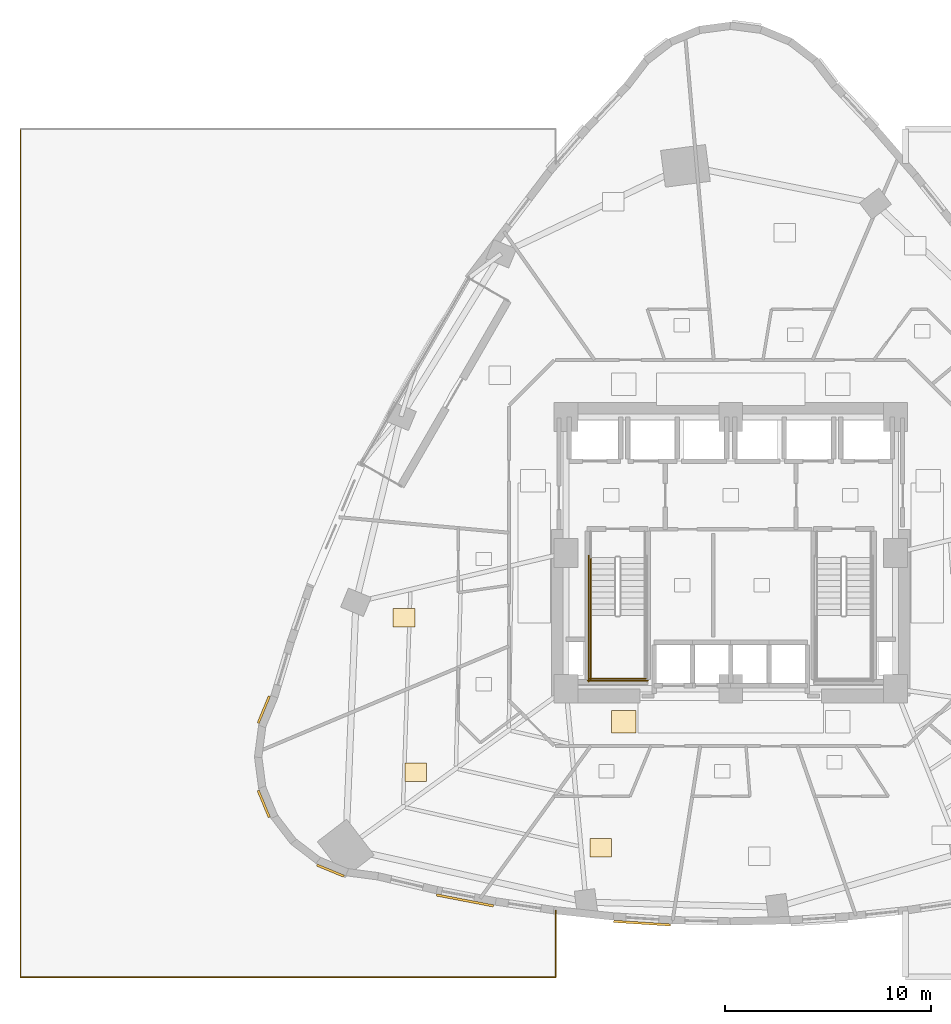
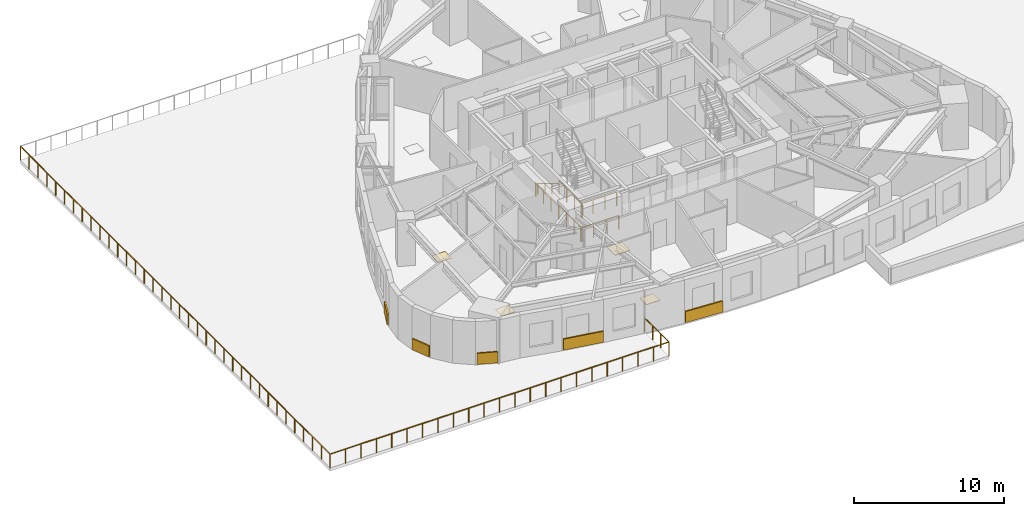
# One storey, part 12 of 15: 9 coverings, 8 railings.
"""IFC4 building model written with IfcOpenShell, lengths in metres."""

from ifc_helpers import new_model, si_unit, direction, frame, origin, origin_2d, place, context, subcontext, project, spatial, rectangle, circle, extrude, material, layer, layer_set, type_object, element, save


model = new_model("IFC4")

# Units and contexts
model_context = context("Model", 3, precision=1e-05, world=origin(), true_north=direction((0.0, 1.0)))
body_context = subcontext(model_context, "Body", "Model", "MODEL_VIEW")
ifc_project = project(units=[si_unit("LENGTHUNIT", "METRE"), si_unit("AREAUNIT", "SQUARE_METRE"), si_unit("VOLUMEUNIT", "CUBIC_METRE"), si_unit("PLANEANGLEUNIT", "RADIAN"), si_unit("MASSUNIT", "GRAM", prefix="KILO")], contexts=[model_context])

# Site, building, storey
site_placement = place(None, origin())
site = spatial("IfcSite", under=ifc_project, at=site_placement, CompositionType="ELEMENT")
building_placement = place(site_placement, origin())
building = spatial("IfcBuilding", under=site, at=building_placement, Name="Ndelora Gate Hotel", CompositionType="ELEMENT")
storey_placement = place(building_placement, frame((0.0, 0.0, 30.5)))
storey = spatial("IfcBuildingStorey", under=building, at=storey_placement, Name="L06", CompositionType="ELEMENT", Elevation=30.5)

# Coverings
ifc_material_1 = material(Name="Terracotta Fired Clay Brick Slip Cladding", Category="masonry")
ifc_layer_1 = layer(ifc_material_1, 0.110107421875)
ifc_layer_set_1 = layer_set([ifc_layer_1], Name="Terracotta Fired Clay Brick Slip Cladding")
covering_type_1 = type_object("IfcCoveringType", Name="COV-CLAD-BRK", PredefinedType="CLADDING", material=ifc_layer_set_1)
for number, where, z_axis, x_axis, name in (
    (1, (-22.6826171875, -7.614013671875, 0.10009765625), (0.0, 0.0, 1.0), (0.382683432365, 0.923879532511, 0.0), "L06 Rounded-Corner Brick Cladding Band 19"),
    (2, (-22.6826171875, -12.19384765625, 0.10009765625), (0.0, 0.0, 1.0), (-0.382683432365, 0.923879532511, 0.0), "L06 Rounded-Corner Brick Cladding Band 22"),
    (3, (-19.444091796875, -15.432373046875, 0.10009765625), (0.0, 0.0, 1.0), (-0.923879532511, 0.382683432365, 0.0), "L06 Rounded-Corner Brick Cladding Band 25"),
):
    element("IfcCovering", number, at=place(storey_placement, frame(where, z_axis=z_axis, x_axis=x_axis)), inside=storey, type_object=covering_type_1, Name=name, PredefinedType="CLADDING", context=body_context, shape_type="SweptSolid", body=[
        extrude(rectangle(XDim=1.4140625, YDim=0.110107421875, at=origin_2d()), origin(), (0.0, 0.0, 1.0), 0.89990234375),
    ])
covering_1_placement = place(storey_placement, frame((-12.90966796875, -16.88037109375, 0.10009765625), z_axis=(0.0, 0.0, 1.0), x_axis=(-0.981991701121, 0.188924055984, 0.0)))
element("IfcCovering", 4, at=covering_1_placement, inside=storey, type_object=covering_type_1, Name="L06 Rounded-Corner Brick Cladding Band 28", PredefinedType="CLADDING", context=body_context, shape_type="SweptSolid", body=[
    extrude(rectangle(XDim=2.81103515625, YDim=0.110107421875, at=origin_2d()), origin(), (0.0, 0.0, 1.0), 0.89990234375),
])
covering_2_placement = place(storey_placement, frame((-4.303466796875, -17.984130859375, 0.10009765625), z_axis=(0.0, 0.0, 1.0), x_axis=(-0.997949270516, 0.064009792035, 0.0)))
element("IfcCovering", 5, at=covering_2_placement, inside=storey, type_object=covering_type_1, Name="L06 Rounded-Corner Brick Cladding Band 31", PredefinedType="CLADDING", context=body_context, shape_type="SweptSolid", body=[
    extrude(rectangle(XDim=2.764892578125, YDim=0.110107421875, at=origin_2d()), origin(), (0.0, 0.0, 1.0), 0.89990234375),
])
ifc_material_2 = material(Name="Engineered Highland Oak Parquet", Category="wood")
ifc_layer_2 = layer(ifc_material_2, 0.030029296875)
ifc_layer_set_2 = layer_set([ifc_layer_2], Name="Engineered Highland Oak Parquet")
covering_type_2 = type_object("IfcCoveringType", Name="COV-FLR-PARQ", PredefinedType="FLOORING", material=ifc_layer_set_2)
for number, where, z_axis, x_axis, name in (
    (6, (-15.8720703125, -3.14208984375, 0.0), (0.0, 0.0, 1.0), (1.0, 0.0, 0.0), "L06 Deluxe King Junior Suite 904 Oak Parquet Flooring"),
    (7, (-15.2939453125, -10.6494140625, 0.0), (0.0, 0.0, 1.0), (1.0, 0.0, 0.0), "L06 Twin Junior Suite 905 Oak Parquet Flooring"),
    (8, (-6.317138671875, -14.314208984375, 0.0), (0.0, 0.0, 1.0), (1.0, 0.0, 0.0), "L06 Superior Double Guest Room 906 Oak Parquet Flooring"),
):
    element("IfcCovering", number, at=place(storey_placement, frame(where, z_axis=z_axis, x_axis=x_axis)), inside=storey, type_object=covering_type_2, Name=name, PredefinedType="FLOORING", context=body_context, shape_type="SweptSolid", body=[
        extrude(rectangle(XDim=1.050048828125, YDim=0.89990234375, at=origin_2d()), origin(), (0.0, 0.0, 1.0), 0.030029296875),
    ])
ifc_material_3 = material(Name="Polished Highland Stone Terrazzo", Category="masonry")
ifc_layer_3 = layer(ifc_material_3, 0.034912109375)
ifc_layer_set_3 = layer_set([ifc_layer_3], Name="Polished Highland Stone Terrazzo")
covering_type_3 = type_object("IfcCoveringType", Name="COV-FLR-TERZ", PredefinedType="FLOORING", material=ifc_layer_set_3)
covering_3_placement = place(storey_placement, frame((-5.199951171875, -8.199951171875, 0.0), z_axis=(0.0, 0.0, 1.0), x_axis=(1.0, 0.0, 0.0)))
element("IfcCovering", 9, at=covering_3_placement, inside=storey, type_object=covering_type_3, Name="L06 Corridor Threshold Terrazzo Inlay SW", PredefinedType="FLOORING", context=body_context, shape_type="SweptSolid", body=[
    extrude(rectangle(XDim=1.199951171875, YDim=1.10009765625, at=origin_2d()), origin(), (0.0, 0.0, 1.0), 0.034912109375),
])

# Railings
ifc_material_4 = material(Name="Laminated Safety Glass and Bronze Top Rail", Category="glass")
ifc_layer_4 = layer(ifc_material_4, 0.070068359375)
ifc_layer_set_4 = layer_set([ifc_layer_4], Name="Laminated Safety Glass and Bronze Top Rail")
railing_type_1 = type_object("IfcRailingType", Name="RL-BAL-1150", PredefinedType="BALUSTRADE", material=ifc_layer_set_4)
railing_1_placement = place(storey_placement, frame((-34.5, 20.60009765625, 0.0)))
element("IfcRailing", 10, at=railing_1_placement, inside=storey, type_object=railing_type_1, Name="L06 West Podium Terrace Safety Balustrade 3", PredefinedType="BALUSTRADE", context=body_context, shape_type="SweptSolid", body=[
    extrude(circle(Radius=0.02392578125, at=origin_2d()), frame((0.0, 0.0, 1.1357421875), z_axis=(0.0, -1.0, 0.0), x_axis=(1.0, 0.0, 0.0)), (0.0, 0.0, 1.0), 41.2001953125),
    extrude(circle(Radius=0.02099609375, at=origin_2d()), origin(), (0.0, 0.0, 1.0), 1.11181640625),
    extrude(circle(Radius=0.02099609375, at=origin_2d()), frame((0.0, -1.17724609375, 0.0)), (0.0, 0.0, 1.0), 1.11181640625),
    extrude(circle(Radius=0.02099609375, at=origin_2d()), frame((0.0, -2.354248046875, 0.0)), (0.0, 0.0, 1.0), 1.11181640625),
    extrude(circle(Radius=0.02099609375, at=origin_2d()), frame((0.0, -3.531494140625, 0.0)), (0.0, 0.0, 1.0), 1.11181640625),
    extrude(circle(Radius=0.02099609375, at=origin_2d()), frame((0.0, -4.70849609375, 0.0)), (0.0, 0.0, 1.0), 1.11181640625),
    extrude(circle(Radius=0.02099609375, at=origin_2d()), frame((0.0, -5.8857421875, 0.0)), (0.0, 0.0, 1.0), 1.11181640625),
    extrude(circle(Radius=0.02099609375, at=origin_2d()), frame((0.0, -7.06298828125, 0.0)), (0.0, 0.0, 1.0), 1.11181640625),
    extrude(circle(Radius=0.02099609375, at=origin_2d()), frame((0.0, -8.239990234375, 0.0)), (0.0, 0.0, 1.0), 1.11181640625),
    extrude(circle(Radius=0.02099609375, at=origin_2d()), frame((0.0, -9.417236328125, 0.0)), (0.0, 0.0, 1.0), 1.11181640625),
    extrude(circle(Radius=0.02099609375, at=origin_2d()), frame((0.0, -10.59423828125, 0.0)), (0.0, 0.0, 1.0), 1.11181640625),
    extrude(circle(Radius=0.02099609375, at=origin_2d()), frame((0.0, -11.771484375, 0.0)), (0.0, 0.0, 1.0), 1.11181640625),
    extrude(circle(Radius=0.02099609375, at=origin_2d()), frame((0.0, -12.94873046875, 0.0)), (0.0, 0.0, 1.0), 1.11181640625),
    extrude(circle(Radius=0.02099609375, at=origin_2d()), frame((0.0, -14.125732421875, 0.0)), (0.0, 0.0, 1.0), 1.11181640625),
    extrude(circle(Radius=0.02099609375, at=origin_2d()), frame((0.0, -15.302978515625, 0.0)), (0.0, 0.0, 1.0), 1.11181640625),
    extrude(circle(Radius=0.02099609375, at=origin_2d()), frame((0.0, -16.47998046875, 0.0)), (0.0, 0.0, 1.0), 1.11181640625),
    extrude(circle(Radius=0.02099609375, at=origin_2d()), frame((0.0, -17.6572265625, 0.0)), (0.0, 0.0, 1.0), 1.11181640625),
    extrude(circle(Radius=0.02099609375, at=origin_2d()), frame((0.0, -18.83447265625, 0.0)), (0.0, 0.0, 1.0), 1.11181640625),
    extrude(circle(Radius=0.02099609375, at=origin_2d()), frame((0.0, -20.011474609375, 0.0)), (0.0, 0.0, 1.0), 1.11181640625),
    extrude(circle(Radius=0.02099609375, at=origin_2d()), frame((0.0, -21.188720703125, 0.0)), (0.0, 0.0, 1.0), 1.11181640625),
    extrude(circle(Radius=0.02099609375, at=origin_2d()), frame((0.0, -22.36572265625, 0.0)), (0.0, 0.0, 1.0), 1.11181640625),
    extrude(circle(Radius=0.02099609375, at=origin_2d()), frame((0.0, -23.54296875, 0.0)), (0.0, 0.0, 1.0), 1.11181640625),
    extrude(circle(Radius=0.02099609375, at=origin_2d()), frame((0.0, -24.72021484375, 0.0)), (0.0, 0.0, 1.0), 1.11181640625),
    extrude(circle(Radius=0.02099609375, at=origin_2d()), frame((0.0, -25.897216796875, 0.0)), (0.0, 0.0, 1.0), 1.11181640625),
    extrude(circle(Radius=0.02099609375, at=origin_2d()), frame((0.0, -27.074462890625, 0.0)), (0.0, 0.0, 1.0), 1.11181640625),
    extrude(circle(Radius=0.02099609375, at=origin_2d()), frame((0.0, -28.25146484375, 0.0)), (0.0, 0.0, 1.0), 1.11181640625),
    extrude(circle(Radius=0.02099609375, at=origin_2d()), frame((0.0, -29.4287109375, 0.0)), (0.0, 0.0, 1.0), 1.11181640625),
    extrude(circle(Radius=0.02099609375, at=origin_2d()), frame((0.0, -30.60595703125, 0.0)), (0.0, 0.0, 1.0), 1.11181640625),
    extrude(circle(Radius=0.02099609375, at=origin_2d()), frame((0.0, -31.782958984375, 0.0)), (0.0, 0.0, 1.0), 1.11181640625),
    extrude(circle(Radius=0.02099609375, at=origin_2d()), frame((0.0, -32.960205078125, 0.0)), (0.0, 0.0, 1.0), 1.11181640625),
    extrude(circle(Radius=0.02099609375, at=origin_2d()), frame((0.0, -34.13720703125, 0.0)), (0.0, 0.0, 1.0), 1.11181640625),
    extrude(circle(Radius=0.02099609375, at=origin_2d()), frame((0.0, -35.314453125, 0.0)), (0.0, 0.0, 1.0), 1.11181640625),
    extrude(circle(Radius=0.02099609375, at=origin_2d()), frame((0.0, -36.49169921875, 0.0)), (0.0, 0.0, 1.0), 1.11181640625),
    extrude(circle(Radius=0.02099609375, at=origin_2d()), frame((0.0, -37.668701171875, 0.0)), (0.0, 0.0, 1.0), 1.11181640625),
    extrude(circle(Radius=0.02099609375, at=origin_2d()), frame((0.0, -38.845947265625, 0.0)), (0.0, 0.0, 1.0), 1.11181640625),
    extrude(circle(Radius=0.02099609375, at=origin_2d()), frame((0.0, -40.02294921875, 0.0)), (0.0, 0.0, 1.0), 1.11181640625),
    extrude(circle(Radius=0.02099609375, at=origin_2d()), frame((0.0, -41.2001953125, 0.0)), (0.0, 0.0, 1.0), 1.11181640625),
])
railing_2_placement = place(storey_placement, frame((-34.5, -20.60009765625, 0.0)))
element("IfcRailing", 11, at=railing_2_placement, inside=storey, type_object=railing_type_1, Name="L06 West Podium Terrace Safety Balustrade 4", PredefinedType="BALUSTRADE", context=body_context, shape_type="SweptSolid", body=[
    extrude(circle(Radius=0.02392578125, at=origin_2d()), frame((0.0, 0.0, 1.1357421875), z_axis=(1.0, 0.0, 0.0), x_axis=(0.0, 1.0, 0.0)), (0.0, 0.0, 1.0), 26.0),
    extrude(circle(Radius=0.02099609375, at=origin_2d()), origin(), (0.0, 0.0, 1.0), 1.11181640625),
    extrude(circle(Radius=0.02099609375, at=origin_2d()), frame((1.181884765625, 0.0, 0.0)), (0.0, 0.0, 1.0), 1.11181640625),
    extrude(circle(Radius=0.02099609375, at=origin_2d()), frame((2.363525390625, 0.0, 0.0)), (0.0, 0.0, 1.0), 1.11181640625),
    extrude(circle(Radius=0.02099609375, at=origin_2d()), frame((3.54541015625, 0.0, 0.0)), (0.0, 0.0, 1.0), 1.11181640625),
    extrude(circle(Radius=0.02099609375, at=origin_2d()), frame((4.727294921875, 0.0, 0.0)), (0.0, 0.0, 1.0), 1.11181640625),
    extrude(circle(Radius=0.02099609375, at=origin_2d()), frame((5.9091796875, 0.0, 0.0)), (0.0, 0.0, 1.0), 1.11181640625),
    extrude(circle(Radius=0.02099609375, at=origin_2d()), frame((7.0908203125, 0.0, 0.0)), (0.0, 0.0, 1.0), 1.11181640625),
    extrude(circle(Radius=0.02099609375, at=origin_2d()), frame((8.272705078125, 0.0, 0.0)), (0.0, 0.0, 1.0), 1.11181640625),
    extrude(circle(Radius=0.02099609375, at=origin_2d()), frame((9.45458984375, 0.0, 0.0)), (0.0, 0.0, 1.0), 1.11181640625),
    extrude(circle(Radius=0.02099609375, at=origin_2d()), frame((10.636474609375, 0.0, 0.0)), (0.0, 0.0, 1.0), 1.11181640625),
    extrude(circle(Radius=0.02099609375, at=origin_2d()), frame((11.818115234375, 0.0, 0.0)), (0.0, 0.0, 1.0), 1.11181640625),
    extrude(circle(Radius=0.02099609375, at=origin_2d()), frame((13.0, 0.0, 0.0)), (0.0, 0.0, 1.0), 1.11181640625),
    extrude(circle(Radius=0.02099609375, at=origin_2d()), frame((14.181884765625, 0.0, 0.0)), (0.0, 0.0, 1.0), 1.11181640625),
    extrude(circle(Radius=0.02099609375, at=origin_2d()), frame((15.363525390625, 0.0, 0.0)), (0.0, 0.0, 1.0), 1.11181640625),
    extrude(circle(Radius=0.02099609375, at=origin_2d()), frame((16.54541015625, 0.0, 0.0)), (0.0, 0.0, 1.0), 1.11181640625),
    extrude(circle(Radius=0.02099609375, at=origin_2d()), frame((17.727294921875, 0.0, 0.0)), (0.0, 0.0, 1.0), 1.11181640625),
    extrude(circle(Radius=0.02099609375, at=origin_2d()), frame((18.9091796875, 0.0, 0.0)), (0.0, 0.0, 1.0), 1.11181640625),
    extrude(circle(Radius=0.02099609375, at=origin_2d()), frame((20.0908203125, 0.0, 0.0)), (0.0, 0.0, 1.0), 1.11181640625),
    extrude(circle(Radius=0.02099609375, at=origin_2d()), frame((21.272705078125, 0.0, 0.0)), (0.0, 0.0, 1.0), 1.11181640625),
    extrude(circle(Radius=0.02099609375, at=origin_2d()), frame((22.45458984375, 0.0, 0.0)), (0.0, 0.0, 1.0), 1.11181640625),
    extrude(circle(Radius=0.02099609375, at=origin_2d()), frame((23.636474609375, 0.0, 0.0)), (0.0, 0.0, 1.0), 1.11181640625),
    extrude(circle(Radius=0.02099609375, at=origin_2d()), frame((24.818115234375, 0.0, 0.0)), (0.0, 0.0, 1.0), 1.11181640625),
    extrude(circle(Radius=0.02099609375, at=origin_2d()), frame((26.0, 0.0, 0.0)), (0.0, 0.0, 1.0), 1.11181640625),
])
railing_3_placement = place(storey_placement, frame((-8.5, -20.60009765625, 0.0)))
element("IfcRailing", 12, at=railing_3_placement, inside=storey, type_object=railing_type_1, Name="L06 West Podium Terrace Safety Balustrade 5", PredefinedType="BALUSTRADE", context=body_context, shape_type="SweptSolid", body=[
    extrude(circle(Radius=0.02392578125, at=origin_2d()), frame((0.0, 0.0, 1.1357421875), z_axis=(0.0, 1.0, 0.0), x_axis=(-1.0, 0.0, 0.0)), (0.0, 0.0, 1.0), 3.2177734375),
    extrude(circle(Radius=0.02099609375, at=origin_2d()), origin(), (0.0, 0.0, 1.0), 1.11181640625),
    extrude(circle(Radius=0.02099609375, at=origin_2d()), frame((0.0, 1.072509765625, 0.0)), (0.0, 0.0, 1.0), 1.11181640625),
    extrude(circle(Radius=0.02099609375, at=origin_2d()), frame((0.0, 2.145263671875, 0.0)), (0.0, 0.0, 1.0), 1.11181640625),
    extrude(circle(Radius=0.02099609375, at=origin_2d()), frame((0.0, 3.2177734375, 0.0)), (0.0, 0.0, 1.0), 1.11181640625),
])
ifc_material_5 = material(Name="Painted Galvanized Steel Balustrade", Category="steel")
ifc_layer_5 = layer(ifc_material_5, 0.06005859375)
ifc_layer_set_5 = layer_set([ifc_layer_5], Name="Painted Galvanized Steel Balustrade")
railing_type_2 = type_object("IfcRailingType", Name="RL-STAIR-GD", PredefinedType="GUARDRAIL", material=ifc_layer_set_5)
railing_4_placement = place(storey_placement, frame((-6.800048828125, -3.030029296875, 1.875)))
element("IfcRailing", 13, at=railing_4_placement, inside=storey, type_object=railing_type_2, Name="L06 ST4 stair guard 3", PredefinedType="GUARDRAIL", context=body_context, shape_type="SweptSolid", body=[
    extrude(circle(Radius=0.02392578125, at=origin_2d()), frame((0.0, 0.0, 1.10595703125), z_axis=(0.0, -1.0, 0.0), x_axis=(1.0, 0.0, 0.0)), (0.0, 0.0, 1.0), 3.119873046875),
    extrude(circle(Radius=0.02099609375, at=origin_2d()), origin(), (0.0, 0.0, 1.0), 1.081787109375),
    extrude(circle(Radius=0.02099609375, at=origin_2d()), frame((0.0, -1.0400390625, 0.0)), (0.0, 0.0, 1.0), 1.081787109375),
    extrude(circle(Radius=0.02099609375, at=origin_2d()), frame((0.0, -2.079833984375, 0.0)), (0.0, 0.0, 1.0), 1.081787109375),
    extrude(circle(Radius=0.02099609375, at=origin_2d()), frame((0.0, -3.119873046875, 0.0)), (0.0, 0.0, 1.0), 1.081787109375),
])
railing_5_placement = place(storey_placement, frame((-6.85009765625, -6.10009765625, 1.875)))
element("IfcRailing", 14, at=railing_5_placement, inside=storey, type_object=railing_type_2, Name="L06 ST4 stair guard 5", PredefinedType="GUARDRAIL", context=body_context, shape_type="SweptSolid", body=[
    extrude(circle(Radius=0.02392578125, at=origin_2d()), frame((0.0, 0.0, 1.10595703125), z_axis=(1.0, 0.0, 0.0), x_axis=(0.0, 1.0, 0.0)), (0.0, 0.0, 1.0), 2.72021484375),
    extrude(circle(Radius=0.02099609375, at=origin_2d()), origin(), (0.0, 0.0, 1.0), 1.081787109375),
    extrude(circle(Radius=0.02099609375, at=origin_2d()), frame((0.90673828125, 0.0, 0.0)), (0.0, 0.0, 1.0), 1.081787109375),
    extrude(circle(Radius=0.02099609375, at=origin_2d()), frame((1.8134765625, 0.0, 0.0)), (0.0, 0.0, 1.0), 1.081787109375),
    extrude(circle(Radius=0.02099609375, at=origin_2d()), frame((2.72021484375, 0.0, 0.0)), (0.0, 0.0, 1.0), 1.081787109375),
])
railing_6_placement = place(storey_placement, frame((-6.89990234375, -0.1298828125, 0.0)))
element("IfcRailing", 15, at=railing_6_placement, inside=storey, type_object=railing_type_2, Name="L06 ST4 stair guard 10", PredefinedType="GUARDRAIL", context=body_context, shape_type="SweptSolid", body=[
    extrude(circle(Radius=0.02392578125, at=origin_2d()), frame((0.0, 0.0, 1.10595703125), z_axis=(0.0, -1.0, 0.0), x_axis=(1.0, 0.0, 0.0)), (0.0, 0.0, 1.0), 6.1201171875),
    extrude(circle(Radius=0.02099609375, at=origin_2d()), origin(), (0.0, 0.0, 1.0), 1.081787109375),
    extrude(circle(Radius=0.02099609375, at=origin_2d()), frame((0.0, -1.02001953125, 0.0)), (0.0, 0.0, 1.0), 1.081787109375),
    extrude(circle(Radius=0.02099609375, at=origin_2d()), frame((0.0, -2.0400390625, 0.0)), (0.0, 0.0, 1.0), 1.081787109375),
    extrude(circle(Radius=0.02099609375, at=origin_2d()), frame((0.0, -3.06005859375, 0.0)), (0.0, 0.0, 1.0), 1.081787109375),
    extrude(circle(Radius=0.02099609375, at=origin_2d()), frame((0.0, -4.080078125, 0.0)), (0.0, 0.0, 1.0), 1.081787109375),
    extrude(circle(Radius=0.02099609375, at=origin_2d()), frame((0.0, -5.10009765625, 0.0)), (0.0, 0.0, 1.0), 1.081787109375),
    extrude(circle(Radius=0.02099609375, at=origin_2d()), frame((0.0, -6.1201171875, 0.0)), (0.0, 0.0, 1.0), 1.081787109375),
])
railing_7_placement = place(storey_placement, frame((-6.949951171875, -6.199951171875, 0.0)))
element("IfcRailing", 16, at=railing_7_placement, inside=storey, type_object=railing_type_2, Name="L06 ST4 stair guard 12", PredefinedType="GUARDRAIL", context=body_context, shape_type="SweptSolid", body=[
    extrude(circle(Radius=0.02392578125, at=origin_2d()), frame((0.0, 0.0, 1.10595703125), z_axis=(1.0, 0.0, 0.0), x_axis=(0.0, 1.0, 0.0)), (0.0, 0.0, 1.0), 2.919921875),
    extrude(circle(Radius=0.02099609375, at=origin_2d()), origin(), (0.0, 0.0, 1.0), 1.081787109375),
    extrude(circle(Radius=0.02099609375, at=origin_2d()), frame((0.973388671875, 0.0, 0.0)), (0.0, 0.0, 1.0), 1.081787109375),
    extrude(circle(Radius=0.02099609375, at=origin_2d()), frame((1.946533203125, 0.0, 0.0)), (0.0, 0.0, 1.0), 1.081787109375),
    extrude(circle(Radius=0.02099609375, at=origin_2d()), frame((2.919921875, 0.0, 0.0)), (0.0, 0.0, 1.0), 1.081787109375),
])
ifc_material_6 = material(Name="Brushed Stainless Steel 316", Category="steel")
ifc_layer_6 = layer(ifc_material_6, 0.050048828125)
ifc_layer_set_6 = layer_set([ifc_layer_6], Name="Brushed Stainless Steel 316")
railing_type_3 = type_object("IfcRailingType", Name="RL-STAIR-HR", PredefinedType="HANDRAIL", material=ifc_layer_set_6)
railing_8_placement = place(storey_placement, frame((-6.800048828125, -0.22998046875, 0.17041015625)))
element("IfcRailing", 17, at=railing_8_placement, inside=storey, type_object=railing_type_3, Name="L06 ST4 stair handrail 1", PredefinedType="HANDRAIL", context=body_context, shape_type="SweptSolid", body=[
    extrude(circle(Radius=0.02392578125, at=origin_2d()), frame((0.0, 0.0, 0.8759765625), z_axis=(0.0, -0.854169791009, 0.51999420009), x_axis=(1.0, 0.0, 0.0)), (0.0, 0.0, 1.0), 3.278076171875),
    extrude(circle(Radius=0.02099609375, at=origin_2d()), origin(), (0.0, 0.0, 1.0), 0.851806640625),
    extrude(circle(Radius=0.02099609375, at=origin_2d()), frame((0.0, -0.933349609375, 0.568115234375)), (0.0, 0.0, 1.0), 0.851806640625),
    extrude(circle(Radius=0.02099609375, at=origin_2d()), frame((0.0, -1.86669921875, 1.136474609375)), (0.0, 0.0, 1.0), 0.851806640625),
    extrude(circle(Radius=0.02099609375, at=origin_2d()), frame((0.0, -2.800048828125, 1.70458984375)), (0.0, 0.0, 1.0), 0.851806640625),
])

save(model, "model.ifc")
